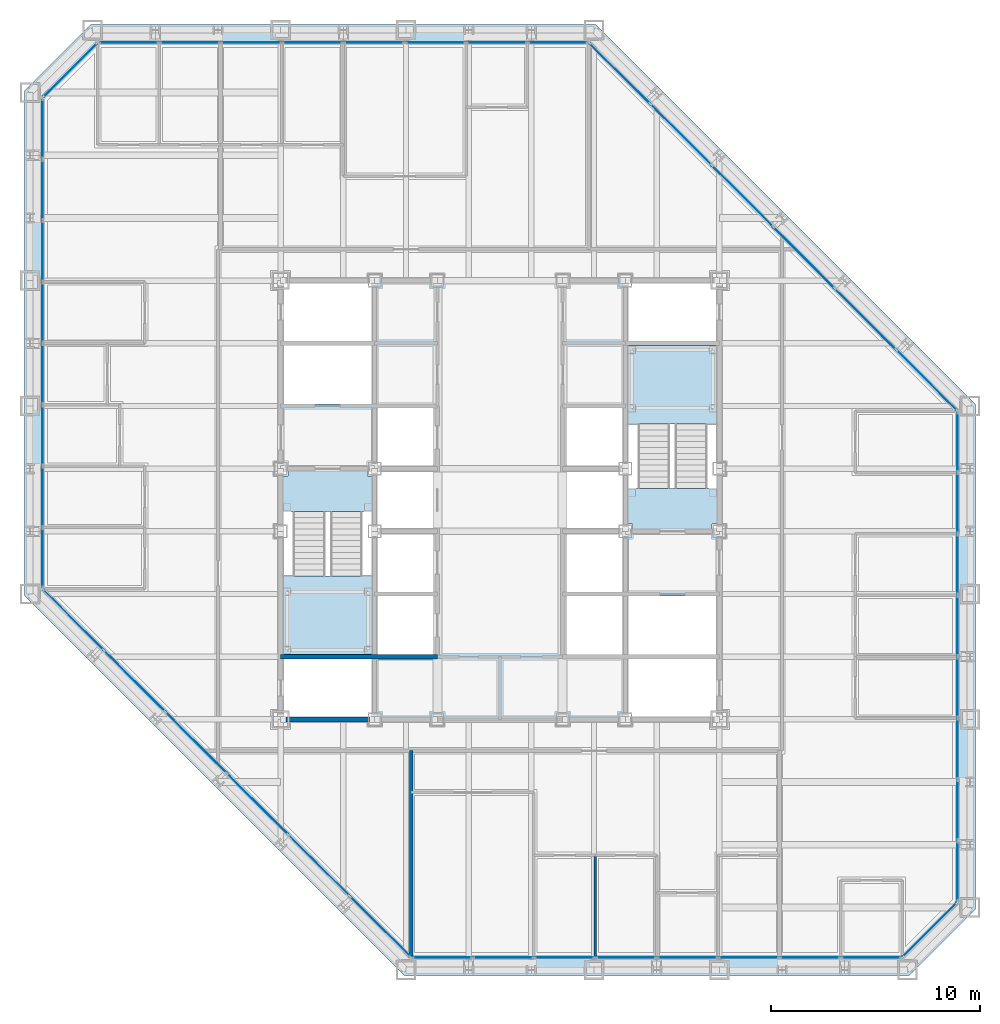
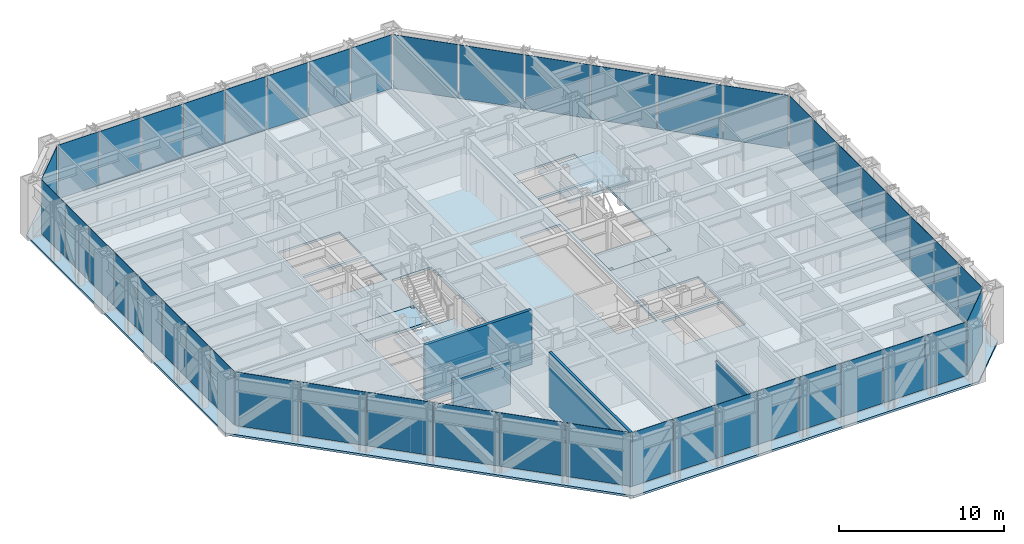
# One storey, part 9 of 16: 46 plates, 5 slabs, 4 walls, 10 elements without a shape of their own.
"""IFC4 building model written with IfcOpenShell, lengths in metres."""

import ifcopenshell
import ifcopenshell.guid

model = None  # the IFC model being written
_history = None  # IfcOwnerHistory: only IFC2X3 demands one
_inside = {}  # id of a spatial element -> (the spatial element, [elements in it])
_under = {}  # id of a project, library or spatial element -> (it, [spatial elements below it])
_declared = {}  # id of a project -> (the project, [libraries it declares])
_typed = {}  # id of a type object -> (the type object, [elements of that type])
_made_of = {}  # id of a material, layer set ... -> (it, [elements and type objects made of it])


def new_model(schema):
    """Start an empty IFC model of exactly this schema.

    Asked for "IFC4X3", IfcOpenShell would pick the latest addendum, in which some entities
    have other attributes; the version numbers below select the first issue.
    IFC2X3 requires an IfcOwnerHistory on every rooted entity: one is made here for all.
    """
    global model, _history
    if schema == "IFC4X3":
        model = ifcopenshell.file(schema_version=(4, 3, 0, 0))
    else:
        model = ifcopenshell.file(schema=schema)
    _inside.clear()
    _under.clear()
    _declared.clear()
    _typed.clear()
    _made_of.clear()
    _history = None
    if model.schema == "IFC2X3":
        org = make("IfcOrganization", Name="unknown")
        user = make(
            "IfcPersonAndOrganization",
            ThePerson=make("IfcPerson", FamilyName="unknown"),
            TheOrganization=org,
        )
        app = make(
            "IfcApplication",
            ApplicationDeveloper=org,
            Version="unknown",
            ApplicationFullName="unknown",
            ApplicationIdentifier="unknown",
        )
        _history = make(
            "IfcOwnerHistory",
            OwningUser=user,
            OwningApplication=app,
            ChangeAction="ADDED",
            CreationDate=0,
        )
    return model


def make(cls, **values):
    """One entity of the class cls with the attributes given. An attribute that is None is left unset."""
    return model.create_entity(
        cls, **{name: value for name, value in values.items() if value is not None}
    )


def rooted(cls, **values):
    """An entity with a GlobalId (a new one), such as an element, a storey or a relation."""
    return make(cls, GlobalId=ifcopenshell.guid.new(), OwnerHistory=_history, **values)


def si_unit(unit_type, name, prefix=None):
    """IfcSIUnit, for example si_unit("LENGTHUNIT", "METRE", prefix="MILLI")."""
    return make("IfcSIUnit", UnitType=unit_type, Prefix=prefix, Name=name)


def assignment(units):
    """IfcUnitAssignment: the units of a project."""
    return None if units is None else make("IfcUnitAssignment", Units=units)


def point(xyz):
    """IfcCartesianPoint."""
    return None if xyz is None else make("IfcCartesianPoint", Coordinates=xyz)


def direction(xyz):
    """IfcDirection."""
    return None if xyz is None else make("IfcDirection", DirectionRatios=xyz)


def frame(location, z_axis=None, x_axis=None):
    """IfcAxis2Placement3D, a coordinate frame: its origin and axes. An axis left out is left unset."""
    return make(
        "IfcAxis2Placement3D",
        Location=point(location),
        Axis=direction(z_axis),
        RefDirection=direction(x_axis),
    )


def frame_2d(location, x_axis=None):
    """IfcAxis2Placement2D, a coordinate frame in the plane: its origin and x axis."""
    return make(
        "IfcAxis2Placement2D", Location=point(location), RefDirection=direction(x_axis)
    )


def origin():
    """The frame at (0, 0, 0) with its axes left unset."""
    return frame((0.0, 0.0, 0.0))


def origin_2d():
    """The frame at (0, 0) in the plane with its x axis left unset."""
    return frame_2d((0.0, 0.0))


def place(relative_to, where):
    """IfcLocalPlacement: puts the frame where relative to a parent placement (None: the world)."""
    return make(
        "IfcLocalPlacement", PlacementRelTo=relative_to, RelativePlacement=where
    )


def context(
    kind, dimensions, precision=None, world=None, true_north=None, identifier=None
):
    """IfcGeometricRepresentationContext, for example the 3D "Model" context."""
    return make(
        "IfcGeometricRepresentationContext",
        ContextIdentifier=identifier,
        ContextType=kind,
        CoordinateSpaceDimension=dimensions,
        Precision=precision,
        WorldCoordinateSystem=world,
        TrueNorth=true_north,
    )


def subcontext(parent, identifier, kind, view, scale=None):
    """IfcGeometricRepresentationSubContext, for example "Body" below "Model"."""
    return make(
        "IfcGeometricRepresentationSubContext",
        ContextIdentifier=identifier,
        ContextType=kind,
        ParentContext=parent,
        TargetScale=scale,
        TargetView=view,
    )


def project(units=None, contexts=None):
    """IfcProject with its units and contexts."""
    return rooted(
        "IfcProject",
        Name="project",
        RepresentationContexts=contexts,
        UnitsInContext=assignment(units),
    )


def spatial(cls, under=None, at=None, **own):
    """A site, building, storey or space (cls), placed at a placement, below another one or the project."""
    s = rooted(cls, ObjectPlacement=at, **own)
    if under is not None:
        _under.setdefault(under.id(), (under, []))[1].append(s)
    return s


def polyline(points):
    """IfcPolyline through the points."""
    return make("IfcPolyline", Points=[point(p) for p in points])


def profile(cls, at=None, kind="AREA", **sizes):
    """A parametric profile (cls). Its sizes go by their IFC names, for example OverallWidth=200.0."""
    return make(cls, ProfileType=kind, Position=at, **sizes)


def rectangle(**sizes):
    """IfcRectangleProfileDef."""
    return profile("IfcRectangleProfileDef", **sizes)


def outline(outer, holes=None, kind="AREA"):
    """IfcArbitraryClosedProfileDef: a profile drawn as a closed curve; with holes, ...WithVoids."""
    if holes is None:
        return make("IfcArbitraryClosedProfileDef", ProfileType=kind, OuterCurve=outer)
    return make(
        "IfcArbitraryProfileDefWithVoids",
        ProfileType=kind,
        OuterCurve=outer,
        InnerCurves=holes,
    )


def extrude(swept, where, along, depth):
    """IfcExtrudedAreaSolid: the profile swept, set in the frame where, extruded along a direction by depth."""
    return make(
        "IfcExtrudedAreaSolid",
        SweptArea=swept,
        Position=where,
        ExtrudedDirection=direction(along),
        Depth=depth,
    )


def shape(context_of_items, identifier, shape_type, items):
    """IfcShapeRepresentation: the items that make up one representation, for example the "Body"."""
    return make(
        "IfcShapeRepresentation",
        ContextOfItems=context_of_items,
        RepresentationIdentifier=identifier,
        RepresentationType=shape_type,
        Items=items,
    )


def material(Name=None, Category=None):
    """IfcMaterial."""
    return make("IfcMaterial", Name=Name, Category=Category)


def layer(
    of_material, thickness, ventilated=None, Name=None, Category=None, Priority=None
):
    """IfcMaterialLayer: one layer of a wall or slab, of a material (None: an air gap)."""
    return make(
        "IfcMaterialLayer",
        Material=of_material,
        LayerThickness=thickness,
        IsVentilated=ventilated,
        Name=Name,
        Category=Category,
        Priority=Priority,
    )


def layer_set(layers, Name=None):
    """IfcMaterialLayerSet."""
    return make("IfcMaterialLayerSet", MaterialLayers=layers, LayerSetName=Name)


def made_of(thing, what):
    """Note that an element or type object is made of a material, layer set ...; save() writes the relation."""
    if what is not None:
        _made_of.setdefault(what.id(), (what, []))[1].append(thing)
    return thing


def type_object(cls, material=None, **own):
    """A type object (cls), such as IfcWallType, which elements share."""
    return made_of(rooted(cls, **own), material)


def element(
    cls,
    number,
    at=None,
    inside=None,
    cuts=None,
    type_object=None,
    material=None,
    context=None,
    identifier="Body",
    shape_type=None,
    held_by="IfcProductDefinitionShape",
    body=None,
    shapes=None,
    **own,
):
    """One element of the class cls, such as IfcWall. Its Tag is "e" and its number.

    at: its placement. inside: the storey or other place that contains it. cuts: it is an
    opening in that element (IfcRelVoidsElement). A single representation is given by context,
    identifier, shape_type and body (its items); several are given by shapes. held_by: the class
    of the entity that holds the representations. save() writes the other relations.
    """
    e = rooted(cls, Tag="e%d" % number, ObjectPlacement=at, **own)
    if body is not None:
        shapes = [shape(context, identifier, shape_type, body)]
    if shapes is not None:
        e.Representation = make(held_by, Representations=shapes)
    if inside is not None:
        _inside.setdefault(inside.id(), (inside, []))[1].append(e)
    if cuts is not None:
        rooted(
            "IfcRelVoidsElement", RelatingBuildingElement=cuts, RelatedOpeningElement=e
        )
    if type_object is not None:
        _typed.setdefault(type_object.id(), (type_object, []))[1].append(e)
    return made_of(e, material)


def aggregate(whole, parts):
    """IfcRelAggregates: a whole, such as a stair, and the parts it consists of."""
    return rooted("IfcRelAggregates", RelatingObject=whole, RelatedObjects=parts)


def save(model, path):
    """Write the relations noted so far, then the file.

    IfcRelAggregates (storeys below a building ...), IfcRelContainedInSpatialStructure (elements
    in a storey), IfcRelDefinesByType, IfcRelAssociatesMaterial and IfcRelDeclares: one each for
    every whole, place, type object, material and project.
    """
    for whole, parts in _under.values():
        aggregate(whole, parts)
    for where, things in _inside.values():
        rooted(
            "IfcRelContainedInSpatialStructure",
            RelatedElements=things,
            RelatingStructure=where,
        )
    for kind, things in _typed.values():
        rooted("IfcRelDefinesByType", RelatedObjects=things, RelatingType=kind)
    for what, things in _made_of.values():
        rooted("IfcRelAssociatesMaterial", RelatedObjects=things, RelatingMaterial=what)
    for by, libraries in _declared.values():
        rooted("IfcRelDeclares", RelatingContext=by, RelatedDefinitions=libraries)
    model.write(path)


model = new_model("IFC4")

# Units and contexts
model_context = context("Model", 3, precision=1e-05, world=origin(), true_north=direction((0.0, 1.0)))
body_context = subcontext(model_context, "Body", "Model", "MODEL_VIEW")
ifc_project = project(units=[si_unit("LENGTHUNIT", "METRE"), si_unit("AREAUNIT", "SQUARE_METRE"), si_unit("VOLUMEUNIT", "CUBIC_METRE"), si_unit("PLANEANGLEUNIT", "RADIAN"), si_unit("MASSUNIT", "GRAM", prefix="KILO")], contexts=[model_context])

# Site, building, storey
site_placement = place(None, origin())
site = spatial("IfcSite", under=ifc_project, at=site_placement, CompositionType="ELEMENT")
building_placement = place(site_placement, origin())
building = spatial("IfcBuilding", under=site, at=building_placement, Name="Chuquiago Exchange Tower", CompositionType="ELEMENT")
storey_placement = place(building_placement, frame((0.0, 0.0, 140.39990234375)))
storey = spatial("IfcBuildingStorey", under=building, at=storey_placement, Name="L30", CompositionType="ELEMENT", Elevation=140.39990234375)

# Curtain wall, plates
ifc_material_1 = material(Name="Aluminium curtain wall system", Category="aluminium")
ifc_layer_1 = layer(ifc_material_1, 0.22509765625)
ifc_layer_set_1 = layer_set([ifc_layer_1], Name="CW2 office curtain wall")
curtain_wall_type_1 = type_object("IfcCurtainWallType", Name="CW2 office curtain wall", PredefinedType="NOTDEFINED", material=ifc_layer_set_1)
curtain_wall_1_placement = place(storey_placement, origin())
curtain_wall_1 = element("IfcCurtainWall", 1, at=curtain_wall_1_placement, inside=storey, type_object=curtain_wall_type_1, Name="CW2 curtain wall L30", PredefinedType="NOTDEFINED")
ifc_material_2 = material(Name="Glass, insulating unit", Category="glass")
ifc_layer_2 = layer(ifc_material_2, 0.030029296875)
ifc_layer_set_2 = layer_set([ifc_layer_2], Name="CW2-P panel 30")
plate_type_1 = type_object("IfcPlateType", Name="CW2-P panel 30", PredefinedType="CURTAIN_PANEL", material=ifc_layer_set_2)
plate_1_placement = place(storey_placement, frame((25.59326171875, 0.60009765625, 0.06494140625), z_axis=(0.0, 0.0, 1.0), x_axis=(1.0, 0.0, 0.0)))
plate_1 = element("IfcPlate", 2, at=plate_1_placement, type_object=plate_type_1, Name="CW2 panel 3.1", PredefinedType="CURTAIN_PANEL", context=body_context, shape_type="SweptSolid", body=[
    extrude(rectangle(XDim=2.872802734375, YDim=0.030029296875, at=origin_2d()), origin(), (0.0, 0.0, 1.0), 3.97509765625),
])
plate_2_placement = place(storey_placement, frame((34.40673828125, 0.60009765625, 0.06494140625), z_axis=(0.0, 0.0, 1.0), x_axis=(1.0, 0.0, 0.0)))
plate_2 = element("IfcPlate", 3, at=plate_2_placement, type_object=plate_type_1, Name="CW2 panel 6.1", PredefinedType="CURTAIN_PANEL", context=body_context, shape_type="SweptSolid", body=[
    extrude(rectangle(XDim=2.872802734375, YDim=0.030029296875, at=origin_2d()), origin(), (0.0, 0.0, 1.0), 3.97509765625),
])

curtain_wall_2_placement = place(storey_placement, origin())
curtain_wall_2 = element("IfcCurtainWall", 4, at=curtain_wall_2_placement, inside=storey, type_object=curtain_wall_type_1, Name="CW2 curtain wall L30", PredefinedType="NOTDEFINED")
plate_3_placement = place(storey_placement, frame((44.39990234375, 10.59326171875, 0.06494140625), z_axis=(0.0, 0.0, 1.0), x_axis=(0.0, 1.0, 0.0)))
plate_3 = element("IfcPlate", 5, at=plate_3_placement, type_object=plate_type_1, Name="CW2 panel 3.1", PredefinedType="CURTAIN_PANEL", context=body_context, shape_type="SweptSolid", body=[
    extrude(rectangle(XDim=2.872802734375, YDim=0.030029296875, at=origin_2d()), origin(), (0.0, 0.0, 1.0), 3.97509765625),
])
plate_4_placement = place(storey_placement, frame((44.39990234375, 19.40673828125, 0.06494140625), z_axis=(0.0, 0.0, 1.0), x_axis=(0.0, 1.0, 0.0)))
plate_4 = element("IfcPlate", 6, at=plate_4_placement, type_object=plate_type_1, Name="CW2 panel 6.1", PredefinedType="CURTAIN_PANEL", context=body_context, shape_type="SweptSolid", body=[
    extrude(rectangle(XDim=2.872802734375, YDim=0.030029296875, at=origin_2d()), origin(), (0.0, 0.0, 1.0), 3.97509765625),
])

curtain_wall_3_placement = place(storey_placement, origin())
curtain_wall_3 = element("IfcCurtainWall", 7, at=curtain_wall_3_placement, inside=storey, type_object=curtain_wall_type_1, Name="CW2 curtain wall L30", PredefinedType="NOTDEFINED")
plate_5_placement = place(storey_placement, frame((19.40673828125, 44.39990234375, 0.06494140625), z_axis=(0.0, 0.0, 1.0), x_axis=(-1.0, 0.0, 0.0)))
plate_5 = element("IfcPlate", 8, at=plate_5_placement, type_object=plate_type_1, Name="CW2 panel 3.1", PredefinedType="CURTAIN_PANEL", context=body_context, shape_type="SweptSolid", body=[
    extrude(rectangle(XDim=2.872802734375, YDim=0.030029296875, at=origin_2d()), origin(), (0.0, 0.0, 1.0), 3.97509765625),
])
plate_6_placement = place(storey_placement, frame((10.59326171875, 44.39990234375, 0.06494140625), z_axis=(0.0, 0.0, 1.0), x_axis=(-1.0, 0.0, 0.0)))
plate_6 = element("IfcPlate", 9, at=plate_6_placement, type_object=plate_type_1, Name="CW2 panel 6.1", PredefinedType="CURTAIN_PANEL", context=body_context, shape_type="SweptSolid", body=[
    extrude(rectangle(XDim=2.872802734375, YDim=0.030029296875, at=origin_2d()), origin(), (0.0, 0.0, 1.0), 3.97509765625),
])

curtain_wall_4_placement = place(storey_placement, origin())
curtain_wall_4 = element("IfcCurtainWall", 10, at=curtain_wall_4_placement, inside=storey, type_object=curtain_wall_type_1, Name="CW2 curtain wall L30", PredefinedType="NOTDEFINED")
plate_7_placement = place(storey_placement, frame((0.60009765625, 34.40673828125, 0.06494140625), z_axis=(0.0, 0.0, 1.0), x_axis=(0.0, -1.0, 0.0)))
plate_7 = element("IfcPlate", 11, at=plate_7_placement, type_object=plate_type_1, Name="CW2 panel 3.1", PredefinedType="CURTAIN_PANEL", context=body_context, shape_type="SweptSolid", body=[
    extrude(rectangle(XDim=2.872802734375, YDim=0.030029296875, at=origin_2d()), origin(), (0.0, 0.0, 1.0), 3.97509765625),
])
plate_8_placement = place(storey_placement, frame((0.60009765625, 25.59326171875, 0.06494140625), z_axis=(0.0, 0.0, 1.0), x_axis=(0.0, -1.0, 0.0)))
plate_8 = element("IfcPlate", 12, at=plate_8_placement, type_object=plate_type_1, Name="CW2 panel 6.1", PredefinedType="CURTAIN_PANEL", context=body_context, shape_type="SweptSolid", body=[
    extrude(rectangle(XDim=2.872802734375, YDim=0.030029296875, at=origin_2d()), origin(), (0.0, 0.0, 1.0), 3.97509765625),
])

# Plate
ifc_material_3 = material(Name="Insulated spandrel panel, pale anodised aluminium", Category="aluminium")
ifc_layer_3 = layer(ifc_material_3, 0.030029296875)
ifc_layer_set_3 = layer_set([ifc_layer_3], Name="CW2-P spandrel panel 30")
plate_type_2 = type_object("IfcPlateType", Name="CW2-P spandrel panel 30", PredefinedType="CURTAIN_PANEL", material=ifc_layer_set_3)
plate_9_placement = place(storey_placement, frame((19.733642578125, 0.60009765625, 0.06494140625), z_axis=(0.0, 0.0, 1.0), x_axis=(1.0, 0.0, 0.0)))
plate_9 = element("IfcPlate", 13, at=plate_9_placement, type_object=plate_type_2, Name="CW2 panel 1.1", PredefinedType="CURTAIN_PANEL", context=body_context, shape_type="SweptSolid", body=[
    extrude(rectangle(XDim=2.84033203125, YDim=0.030029296875, at=origin_2d()), origin(), (0.0, 0.0, 1.0), 3.97509765625),
])

plate_10_placement = place(storey_placement, frame((22.6552734375, 0.60009765625, 0.06494140625), z_axis=(0.0, 0.0, 1.0), x_axis=(1.0, 0.0, 0.0)))
plate_10 = element("IfcPlate", 14, at=plate_10_placement, type_object=plate_type_2, Name="CW2 panel 2.1", PredefinedType="CURTAIN_PANEL", context=body_context, shape_type="SweptSolid", body=[
    extrude(rectangle(XDim=2.872802734375, YDim=0.030029296875, at=origin_2d()), origin(), (0.0, 0.0, 1.0), 3.97509765625),
])

plate_11_placement = place(storey_placement, frame((28.531005859375, 0.60009765625, 0.06494140625), z_axis=(0.0, 0.0, 1.0), x_axis=(1.0, 0.0, 0.0)))
plate_11 = element("IfcPlate", 15, at=plate_11_placement, type_object=plate_type_2, Name="CW2 panel 4.1", PredefinedType="CURTAIN_PANEL", context=body_context, shape_type="SweptSolid", body=[
    extrude(rectangle(XDim=2.872802734375, YDim=0.030029296875, at=origin_2d()), origin(), (0.0, 0.0, 1.0), 3.97509765625),
])

plate_12_placement = place(storey_placement, frame((31.468994140625, 0.60009765625, 0.06494140625), z_axis=(0.0, 0.0, 1.0), x_axis=(1.0, 0.0, 0.0)))
plate_12 = element("IfcPlate", 16, at=plate_12_placement, type_object=plate_type_2, Name="CW2 panel 5.1", PredefinedType="CURTAIN_PANEL", context=body_context, shape_type="SweptSolid", body=[
    extrude(rectangle(XDim=2.872802734375, YDim=0.030029296875, at=origin_2d()), origin(), (0.0, 0.0, 1.0), 3.97509765625),
])

plate_13_placement = place(storey_placement, frame((37.3447265625, 0.60009765625, 0.06494140625), z_axis=(0.0, 0.0, 1.0), x_axis=(1.0, 0.0, 0.0)))
plate_13 = element("IfcPlate", 17, at=plate_13_placement, type_object=plate_type_2, Name="CW2 panel 7.1", PredefinedType="CURTAIN_PANEL", context=body_context, shape_type="SweptSolid", body=[
    extrude(rectangle(XDim=2.872802734375, YDim=0.030029296875, at=origin_2d()), origin(), (0.0, 0.0, 1.0), 3.97509765625),
])

plate_14_placement = place(storey_placement, frame((40.266357421875, 0.60009765625, 0.06494140625), z_axis=(0.0, 0.0, 1.0), x_axis=(1.0, 0.0, 0.0)))
plate_14 = element("IfcPlate", 18, at=plate_14_placement, type_object=plate_type_2, Name="CW2 panel 8.1", PredefinedType="CURTAIN_PANEL", context=body_context, shape_type="SweptSolid", body=[
    extrude(rectangle(XDim=2.84033203125, YDim=0.030029296875, at=origin_2d()), origin(), (0.0, 0.0, 1.0), 3.97509765625),
])

aggregate(curtain_wall_1, [plate_9, plate_10, plate_1, plate_11, plate_12, plate_2, plate_13, plate_14])

plate_15_placement = place(storey_placement, frame((44.39990234375, 4.733642578125, 0.06494140625), z_axis=(0.0, 0.0, 1.0), x_axis=(0.0, 1.0, 0.0)))
plate_15 = element("IfcPlate", 19, at=plate_15_placement, type_object=plate_type_2, Name="CW2 panel 1.1", PredefinedType="CURTAIN_PANEL", context=body_context, shape_type="SweptSolid", body=[
    extrude(rectangle(XDim=2.84033203125, YDim=0.030029296875, at=origin_2d()), origin(), (0.0, 0.0, 1.0), 3.97509765625),
])

plate_16_placement = place(storey_placement, frame((44.39990234375, 7.6552734375, 0.06494140625), z_axis=(0.0, 0.0, 1.0), x_axis=(0.0, 1.0, 0.0)))
plate_16 = element("IfcPlate", 20, at=plate_16_placement, type_object=plate_type_2, Name="CW2 panel 2.1", PredefinedType="CURTAIN_PANEL", context=body_context, shape_type="SweptSolid", body=[
    extrude(rectangle(XDim=2.872802734375, YDim=0.030029296875, at=origin_2d()), origin(), (0.0, 0.0, 1.0), 3.97509765625),
])

plate_17_placement = place(storey_placement, frame((44.39990234375, 13.531005859375, 0.06494140625), z_axis=(0.0, 0.0, 1.0), x_axis=(0.0, 1.0, 0.0)))
plate_17 = element("IfcPlate", 21, at=plate_17_placement, type_object=plate_type_2, Name="CW2 panel 4.1", PredefinedType="CURTAIN_PANEL", context=body_context, shape_type="SweptSolid", body=[
    extrude(rectangle(XDim=2.872802734375, YDim=0.030029296875, at=origin_2d()), origin(), (0.0, 0.0, 1.0), 3.97509765625),
])

plate_18_placement = place(storey_placement, frame((44.39990234375, 16.468994140625, 0.06494140625), z_axis=(0.0, 0.0, 1.0), x_axis=(0.0, 1.0, 0.0)))
plate_18 = element("IfcPlate", 22, at=plate_18_placement, type_object=plate_type_2, Name="CW2 panel 5.1", PredefinedType="CURTAIN_PANEL", context=body_context, shape_type="SweptSolid", body=[
    extrude(rectangle(XDim=2.872802734375, YDim=0.030029296875, at=origin_2d()), origin(), (0.0, 0.0, 1.0), 3.97509765625),
])

plate_19_placement = place(storey_placement, frame((44.39990234375, 22.3447265625, 0.06494140625), z_axis=(0.0, 0.0, 1.0), x_axis=(0.0, 1.0, 0.0)))
plate_19 = element("IfcPlate", 23, at=plate_19_placement, type_object=plate_type_2, Name="CW2 panel 7.1", PredefinedType="CURTAIN_PANEL", context=body_context, shape_type="SweptSolid", body=[
    extrude(rectangle(XDim=2.872802734375, YDim=0.030029296875, at=origin_2d()), origin(), (0.0, 0.0, 1.0), 3.97509765625),
])

plate_20_placement = place(storey_placement, frame((44.39990234375, 25.266357421875, 0.06494140625), z_axis=(0.0, 0.0, 1.0), x_axis=(0.0, 1.0, 0.0)))
plate_20 = element("IfcPlate", 24, at=plate_20_placement, type_object=plate_type_2, Name="CW2 panel 8.1", PredefinedType="CURTAIN_PANEL", context=body_context, shape_type="SweptSolid", body=[
    extrude(rectangle(XDim=2.84033203125, YDim=0.030029296875, at=origin_2d()), origin(), (0.0, 0.0, 1.0), 3.97509765625),
])

aggregate(curtain_wall_2, [plate_15, plate_16, plate_3, plate_17, plate_18, plate_4, plate_19, plate_20])

plate_21_placement = place(storey_placement, frame((25.266357421875, 44.39990234375, 0.06494140625), z_axis=(0.0, 0.0, 1.0), x_axis=(-1.0, 0.0, 0.0)))
plate_21 = element("IfcPlate", 25, at=plate_21_placement, type_object=plate_type_2, Name="CW2 panel 1.1", PredefinedType="CURTAIN_PANEL", context=body_context, shape_type="SweptSolid", body=[
    extrude(rectangle(XDim=2.84033203125, YDim=0.030029296875, at=origin_2d()), origin(), (0.0, 0.0, 1.0), 3.97509765625),
])

plate_22_placement = place(storey_placement, frame((22.3447265625, 44.39990234375, 0.06494140625), z_axis=(0.0, 0.0, 1.0), x_axis=(-1.0, 0.0, 0.0)))
plate_22 = element("IfcPlate", 26, at=plate_22_placement, type_object=plate_type_2, Name="CW2 panel 2.1", PredefinedType="CURTAIN_PANEL", context=body_context, shape_type="SweptSolid", body=[
    extrude(rectangle(XDim=2.872802734375, YDim=0.030029296875, at=origin_2d()), origin(), (0.0, 0.0, 1.0), 3.97509765625),
])

plate_23_placement = place(storey_placement, frame((16.468994140625, 44.39990234375, 0.06494140625), z_axis=(0.0, 0.0, 1.0), x_axis=(-1.0, 0.0, 0.0)))
plate_23 = element("IfcPlate", 27, at=plate_23_placement, type_object=plate_type_2, Name="CW2 panel 4.1", PredefinedType="CURTAIN_PANEL", context=body_context, shape_type="SweptSolid", body=[
    extrude(rectangle(XDim=2.872802734375, YDim=0.030029296875, at=origin_2d()), origin(), (0.0, 0.0, 1.0), 3.97509765625),
])

plate_24_placement = place(storey_placement, frame((13.531005859375, 44.39990234375, 0.06494140625), z_axis=(0.0, 0.0, 1.0), x_axis=(-1.0, 0.0, 0.0)))
plate_24 = element("IfcPlate", 28, at=plate_24_placement, type_object=plate_type_2, Name="CW2 panel 5.1", PredefinedType="CURTAIN_PANEL", context=body_context, shape_type="SweptSolid", body=[
    extrude(rectangle(XDim=2.872802734375, YDim=0.030029296875, at=origin_2d()), origin(), (0.0, 0.0, 1.0), 3.97509765625),
])

plate_25_placement = place(storey_placement, frame((7.6552734375, 44.39990234375, 0.06494140625), z_axis=(0.0, 0.0, 1.0), x_axis=(-1.0, 0.0, 0.0)))
plate_25 = element("IfcPlate", 29, at=plate_25_placement, type_object=plate_type_2, Name="CW2 panel 7.1", PredefinedType="CURTAIN_PANEL", context=body_context, shape_type="SweptSolid", body=[
    extrude(rectangle(XDim=2.872802734375, YDim=0.030029296875, at=origin_2d()), origin(), (0.0, 0.0, 1.0), 3.97509765625),
])

plate_26_placement = place(storey_placement, frame((4.733642578125, 44.39990234375, 0.06494140625), z_axis=(0.0, 0.0, 1.0), x_axis=(-1.0, 0.0, 0.0)))
plate_26 = element("IfcPlate", 30, at=plate_26_placement, type_object=plate_type_2, Name="CW2 panel 8.1", PredefinedType="CURTAIN_PANEL", context=body_context, shape_type="SweptSolid", body=[
    extrude(rectangle(XDim=2.84033203125, YDim=0.030029296875, at=origin_2d()), origin(), (0.0, 0.0, 1.0), 3.97509765625),
])

aggregate(curtain_wall_3, [plate_21, plate_22, plate_5, plate_23, plate_24, plate_6, plate_25, plate_26])

plate_27_placement = place(storey_placement, frame((0.60009765625, 40.266357421875, 0.06494140625), z_axis=(0.0, 0.0, 1.0), x_axis=(0.0, -1.0, 0.0)))
plate_27 = element("IfcPlate", 31, at=plate_27_placement, type_object=plate_type_2, Name="CW2 panel 1.1", PredefinedType="CURTAIN_PANEL", context=body_context, shape_type="SweptSolid", body=[
    extrude(rectangle(XDim=2.84033203125, YDim=0.030029296875, at=origin_2d()), origin(), (0.0, 0.0, 1.0), 3.97509765625),
])

plate_28_placement = place(storey_placement, frame((0.60009765625, 37.3447265625, 0.06494140625), z_axis=(0.0, 0.0, 1.0), x_axis=(0.0, -1.0, 0.0)))
plate_28 = element("IfcPlate", 32, at=plate_28_placement, type_object=plate_type_2, Name="CW2 panel 2.1", PredefinedType="CURTAIN_PANEL", context=body_context, shape_type="SweptSolid", body=[
    extrude(rectangle(XDim=2.872802734375, YDim=0.030029296875, at=origin_2d()), origin(), (0.0, 0.0, 1.0), 3.97509765625),
])

plate_29_placement = place(storey_placement, frame((0.60009765625, 31.468994140625, 0.06494140625), z_axis=(0.0, 0.0, 1.0), x_axis=(0.0, -1.0, 0.0)))
plate_29 = element("IfcPlate", 33, at=plate_29_placement, type_object=plate_type_2, Name="CW2 panel 4.1", PredefinedType="CURTAIN_PANEL", context=body_context, shape_type="SweptSolid", body=[
    extrude(rectangle(XDim=2.872802734375, YDim=0.030029296875, at=origin_2d()), origin(), (0.0, 0.0, 1.0), 3.97509765625),
])

plate_30_placement = place(storey_placement, frame((0.60009765625, 28.531005859375, 0.06494140625), z_axis=(0.0, 0.0, 1.0), x_axis=(0.0, -1.0, 0.0)))
plate_30 = element("IfcPlate", 34, at=plate_30_placement, type_object=plate_type_2, Name="CW2 panel 5.1", PredefinedType="CURTAIN_PANEL", context=body_context, shape_type="SweptSolid", body=[
    extrude(rectangle(XDim=2.872802734375, YDim=0.030029296875, at=origin_2d()), origin(), (0.0, 0.0, 1.0), 3.97509765625),
])

plate_31_placement = place(storey_placement, frame((0.60009765625, 22.6552734375, 0.06494140625), z_axis=(0.0, 0.0, 1.0), x_axis=(0.0, -1.0, 0.0)))
plate_31 = element("IfcPlate", 35, at=plate_31_placement, type_object=plate_type_2, Name="CW2 panel 7.1", PredefinedType="CURTAIN_PANEL", context=body_context, shape_type="SweptSolid", body=[
    extrude(rectangle(XDim=2.872802734375, YDim=0.030029296875, at=origin_2d()), origin(), (0.0, 0.0, 1.0), 3.97509765625),
])

plate_32_placement = place(storey_placement, frame((0.60009765625, 19.733642578125, 0.06494140625), z_axis=(0.0, 0.0, 1.0), x_axis=(0.0, -1.0, 0.0)))
plate_32 = element("IfcPlate", 36, at=plate_32_placement, type_object=plate_type_2, Name="CW2 panel 8.1", PredefinedType="CURTAIN_PANEL", context=body_context, shape_type="SweptSolid", body=[
    extrude(rectangle(XDim=2.84033203125, YDim=0.030029296875, at=origin_2d()), origin(), (0.0, 0.0, 1.0), 3.97509765625),
])

aggregate(curtain_wall_4, [plate_27, plate_28, plate_7, plate_29, plate_30, plate_8, plate_31, plate_32])

# Curtain wall, plate
ifc_material_4 = material(Name="Aluminium curtain wall system", Category="aluminium")
ifc_layer_4 = layer(ifc_material_4, 0.199951171875)
ifc_layer_set_4 = layer_set([ifc_layer_4], Name="CW3 facet curtain wall")
curtain_wall_type_2 = type_object("IfcCurtainWallType", Name="CW3 facet curtain wall", PredefinedType="NOTDEFINED", material=ifc_layer_set_4)
curtain_wall_5_placement = place(storey_placement, origin())
curtain_wall_5 = element("IfcCurtainWall", 37, at=curtain_wall_5_placement, inside=storey, type_object=curtain_wall_type_2, Name="CW3 curtain wall L30", PredefinedType="NOTDEFINED")
ifc_material_5 = material(Name="Insulated spandrel panel, pale anodised aluminium", Category="aluminium")
ifc_layer_5 = layer(ifc_material_5, 0.030029296875)
ifc_layer_set_5 = layer_set([ifc_layer_5], Name="CW3-P spandrel panel 30")
plate_type_3 = type_object("IfcPlateType", Name="CW3-P spandrel panel 30", PredefinedType="CURTAIN_PANEL", material=ifc_layer_set_5)
plate_33_placement = place(storey_placement, frame((43.07568359375, 1.92431640625, 0.06494140625), z_axis=(0.0, 0.0, 1.0), x_axis=(0.707106781187, 0.707106781187, 0.0)))
plate_33 = element("IfcPlate", 38, at=plate_33_placement, type_object=plate_type_3, Name="CW3 panel 1.1", PredefinedType="CURTAIN_PANEL", context=body_context, shape_type="SweptSolid", body=[
    extrude(rectangle(XDim=3.615478515625, YDim=0.030029296875, at=origin_2d()), origin(), (0.0, 0.0, 1.0), 3.97509765625),
])
aggregate(curtain_wall_5, [plate_33])

# Curtain wall, plates
curtain_wall_6_placement = place(storey_placement, origin())
curtain_wall_6 = element("IfcCurtainWall", 39, at=curtain_wall_6_placement, inside=storey, type_object=curtain_wall_type_2, Name="CW3 curtain wall L30", PredefinedType="NOTDEFINED")
plate_34_placement = place(storey_placement, frame((42.917724609375, 28.233642578125, 0.06494140625), z_axis=(0.0, 0.0, 1.0), x_axis=(-0.707106781187, 0.707106781187, 0.0)))
plate_34 = element("IfcPlate", 40, at=plate_34_placement, type_object=plate_type_3, Name="CW3 panel 1.1", PredefinedType="CURTAIN_PANEL", context=body_context, shape_type="SweptSolid", body=[
    extrude(rectangle(XDim=4.062255859375, YDim=0.030029296875, at=origin_2d()), origin(), (0.0, 0.0, 1.0), 3.97509765625),
])
plate_35_placement = place(storey_placement, frame((39.98779296875, 31.16357421875, 0.06494140625), z_axis=(0.0, 0.0, 1.0), x_axis=(-0.707106781187, 0.707106781187, 0.0)))
plate_35 = element("IfcPlate", 41, at=plate_35_placement, type_object=plate_type_3, Name="CW3 panel 2.1", PredefinedType="CURTAIN_PANEL", context=body_context, shape_type="SweptSolid", body=[
    extrude(rectangle(XDim=4.0947265625, YDim=0.030029296875, at=origin_2d()), origin(), (0.0, 0.0, 1.0), 3.97509765625),
])
plate_36_placement = place(storey_placement, frame((37.04638671875, 34.10498046875, 0.06494140625), z_axis=(0.0, 0.0, 1.0), x_axis=(-0.707106781187, 0.707106781187, 0.0)))
plate_36 = element("IfcPlate", 42, at=plate_36_placement, type_object=plate_type_3, Name="CW3 panel 3.1", PredefinedType="CURTAIN_PANEL", context=body_context, shape_type="SweptSolid", body=[
    extrude(rectangle(XDim=4.0947265625, YDim=0.030029296875, at=origin_2d()), origin(), (0.0, 0.0, 1.0), 3.97509765625),
])
plate_37_placement = place(storey_placement, frame((34.10498046875, 37.04638671875, 0.06494140625), z_axis=(0.0, 0.0, 1.0), x_axis=(-0.707106781187, 0.707106781187, 0.0)))
plate_37 = element("IfcPlate", 43, at=plate_37_placement, type_object=plate_type_3, Name="CW3 panel 4.1", PredefinedType="CURTAIN_PANEL", context=body_context, shape_type="SweptSolid", body=[
    extrude(rectangle(XDim=4.0947265625, YDim=0.030029296875, at=origin_2d()), origin(), (0.0, 0.0, 1.0), 3.97509765625),
])
plate_38_placement = place(storey_placement, frame((31.16357421875, 39.98779296875, 0.06494140625), z_axis=(0.0, 0.0, 1.0), x_axis=(-0.707106781187, 0.707106781187, 0.0)))
plate_38 = element("IfcPlate", 44, at=plate_38_placement, type_object=plate_type_3, Name="CW3 panel 5.1", PredefinedType="CURTAIN_PANEL", context=body_context, shape_type="SweptSolid", body=[
    extrude(rectangle(XDim=4.0947265625, YDim=0.030029296875, at=origin_2d()), origin(), (0.0, 0.0, 1.0), 3.97509765625),
])
plate_39_placement = place(storey_placement, frame((28.233642578125, 42.917724609375, 0.06494140625), z_axis=(0.0, 0.0, 1.0), x_axis=(-0.707106781187, 0.707106781187, 0.0)))
plate_39 = element("IfcPlate", 45, at=plate_39_placement, type_object=plate_type_3, Name="CW3 panel 6.1", PredefinedType="CURTAIN_PANEL", context=body_context, shape_type="SweptSolid", body=[
    extrude(rectangle(XDim=4.062255859375, YDim=0.030029296875, at=origin_2d()), origin(), (0.0, 0.0, 1.0), 3.97509765625),
])
aggregate(curtain_wall_6, [plate_34, plate_35, plate_36, plate_37, plate_38, plate_39])

# Curtain wall, plate
curtain_wall_7_placement = place(storey_placement, origin())
curtain_wall_7 = element("IfcCurtainWall", 46, at=curtain_wall_7_placement, inside=storey, type_object=curtain_wall_type_2, Name="CW3 curtain wall L30", PredefinedType="NOTDEFINED")
plate_40_placement = place(storey_placement, frame((1.92431640625, 43.07568359375, 0.06494140625), z_axis=(0.0, 0.0, 1.0), x_axis=(-0.707106781187, -0.707106781187, 0.0)))
plate_40 = element("IfcPlate", 47, at=plate_40_placement, type_object=plate_type_3, Name="CW3 panel 1.1", PredefinedType="CURTAIN_PANEL", context=body_context, shape_type="SweptSolid", body=[
    extrude(rectangle(XDim=3.615478515625, YDim=0.030029296875, at=origin_2d()), origin(), (0.0, 0.0, 1.0), 3.97509765625),
])
aggregate(curtain_wall_7, [plate_40])

# Curtain wall, plates
curtain_wall_8_placement = place(storey_placement, origin())
curtain_wall_8 = element("IfcCurtainWall", 48, at=curtain_wall_8_placement, inside=storey, type_object=curtain_wall_type_2, Name="CW3 curtain wall L30", PredefinedType="NOTDEFINED")
plate_41_placement = place(storey_placement, frame((2.082275390625, 16.766357421875, 0.06494140625), z_axis=(0.0, 0.0, 1.0), x_axis=(0.707106781187, -0.707106781187, 0.0)))
plate_41 = element("IfcPlate", 49, at=plate_41_placement, type_object=plate_type_3, Name="CW3 panel 1.1", PredefinedType="CURTAIN_PANEL", context=body_context, shape_type="SweptSolid", body=[
    extrude(rectangle(XDim=4.062255859375, YDim=0.030029296875, at=origin_2d()), origin(), (0.0, 0.0, 1.0), 3.97509765625),
])
plate_42_placement = place(storey_placement, frame((5.01220703125, 13.83642578125, 0.06494140625), z_axis=(0.0, 0.0, 1.0), x_axis=(0.707106781187, -0.707106781187, 0.0)))
plate_42 = element("IfcPlate", 50, at=plate_42_placement, type_object=plate_type_3, Name="CW3 panel 2.1", PredefinedType="CURTAIN_PANEL", context=body_context, shape_type="SweptSolid", body=[
    extrude(rectangle(XDim=4.0947265625, YDim=0.030029296875, at=origin_2d()), origin(), (0.0, 0.0, 1.0), 3.97509765625),
])
plate_43_placement = place(storey_placement, frame((7.95361328125, 10.89501953125, 0.06494140625), z_axis=(0.0, 0.0, 1.0), x_axis=(0.707106781187, -0.707106781187, 0.0)))
plate_43 = element("IfcPlate", 51, at=plate_43_placement, type_object=plate_type_3, Name="CW3 panel 3.1", PredefinedType="CURTAIN_PANEL", context=body_context, shape_type="SweptSolid", body=[
    extrude(rectangle(XDim=4.0947265625, YDim=0.030029296875, at=origin_2d()), origin(), (0.0, 0.0, 1.0), 3.97509765625),
])
plate_44_placement = place(storey_placement, frame((10.89501953125, 7.95361328125, 0.06494140625), z_axis=(0.0, 0.0, 1.0), x_axis=(0.707106781187, -0.707106781187, 0.0)))
plate_44 = element("IfcPlate", 52, at=plate_44_placement, type_object=plate_type_3, Name="CW3 panel 4.1", PredefinedType="CURTAIN_PANEL", context=body_context, shape_type="SweptSolid", body=[
    extrude(rectangle(XDim=4.0947265625, YDim=0.030029296875, at=origin_2d()), origin(), (0.0, 0.0, 1.0), 3.97509765625),
])
plate_45_placement = place(storey_placement, frame((13.83642578125, 5.01220703125, 0.06494140625), z_axis=(0.0, 0.0, 1.0), x_axis=(0.707106781187, -0.707106781187, 0.0)))
plate_45 = element("IfcPlate", 53, at=plate_45_placement, type_object=plate_type_3, Name="CW3 panel 5.1", PredefinedType="CURTAIN_PANEL", context=body_context, shape_type="SweptSolid", body=[
    extrude(rectangle(XDim=4.0947265625, YDim=0.030029296875, at=origin_2d()), origin(), (0.0, 0.0, 1.0), 3.97509765625),
])
plate_46_placement = place(storey_placement, frame((16.766357421875, 2.082275390625, 0.06494140625), z_axis=(0.0, 0.0, 1.0), x_axis=(0.707106781187, -0.707106781187, 0.0)))
plate_46 = element("IfcPlate", 54, at=plate_46_placement, type_object=plate_type_3, Name="CW3 panel 6.1", PredefinedType="CURTAIN_PANEL", context=body_context, shape_type="SweptSolid", body=[
    extrude(rectangle(XDim=4.062255859375, YDim=0.030029296875, at=origin_2d()), origin(), (0.0, 0.0, 1.0), 3.97509765625),
])
aggregate(curtain_wall_8, [plate_41, plate_42, plate_43, plate_44, plate_45, plate_46])

# Slab
ifc_material_6 = material(Name="Concrete C30/37", Category="concrete")
ifc_layer_6 = layer(ifc_material_6, 0.159912109375)
ifc_layer_set_6 = layer_set([ifc_layer_6], Name="FS1 composite floor 160")
slab_type_1 = type_object("IfcSlabType", Name="FS1 composite floor 160", PredefinedType="FLOOR", material=ifc_layer_set_6)
slab_1_placement = place(storey_placement, frame((0.0, 0.0, -0.159912109375)))
element("IfcSlab", 55, at=slab_1_placement, inside=storey, type_object=slab_type_1, Name="L30 floor slab", PredefinedType="FLOOR", context=body_context, shape_type="SweptSolid", body=[
    extrude(outline(polyline([(17.896484375, -0.25), (-0.25, 17.896484375), (-0.25, 42.103515625), (2.896484375, 45.25), (27.103515625, 45.25), (45.25, 27.103515625), (45.25, 2.896484375), (42.103515625, -0.25), (17.896484375, -0.25)]), holes=[polyline([(16.39990234375, 15.10009765625), (12.10009765625, 15.10009765625), (12.10009765625, 23.89990234375), (16.39990234375, 23.89990234375), (16.39990234375, 15.10009765625)]), polyline([(32.89990234375, 21.10009765625), (28.60009765625, 21.10009765625), (28.60009765625, 29.89990234375), (32.89990234375, 29.89990234375), (32.89990234375, 21.10009765625)]), polyline([(16.39990234375, 12.10009765625), (12.10009765625, 12.10009765625), (12.10009765625, 14.89990234375), (16.39990234375, 14.89990234375), (16.39990234375, 12.10009765625)]), polyline([(16.39990234375, 30.10009765625), (12.10009765625, 30.10009765625), (12.10009765625, 32.89990234375), (16.39990234375, 32.89990234375), (16.39990234375, 30.10009765625)]), polyline([(32.89990234375, 12.10009765625), (28.60009765625, 12.10009765625), (28.60009765625, 14.89990234375), (32.89990234375, 14.89990234375), (32.89990234375, 12.10009765625)]), polyline([(32.89990234375, 30.10009765625), (28.60009765625, 30.10009765625), (28.60009765625, 32.89990234375), (32.89990234375, 32.89990234375), (32.89990234375, 30.10009765625)]), polyline([(16.39990234375, 27.10009765625), (12.10009765625, 27.10009765625), (12.10009765625, 29.89990234375), (16.39990234375, 29.89990234375), (16.39990234375, 27.10009765625)]), polyline([(32.89990234375, 15.10009765625), (28.60009765625, 15.10009765625), (28.60009765625, 17.89990234375), (32.89990234375, 17.89990234375), (32.89990234375, 15.10009765625)]), polyline([(19.39990234375, 15.10009765625), (16.60009765625, 15.10009765625), (16.60009765625, 26.89990234375), (19.39990234375, 26.89990234375), (19.39990234375, 15.10009765625)]), polyline([(28.39990234375, 15.10009765625), (25.60009765625, 15.10009765625), (25.60009765625, 26.89990234375), (28.39990234375, 26.89990234375), (28.39990234375, 15.10009765625)])]), origin(), (0.0, 0.0, 1.0), 0.159912109375),
])

# Stair, slabs
ifc_material_7 = material(Name="Concrete C30/37, precast", Category="concrete")
stair_type_1 = type_object("IfcStairType", Name="ST1 half-turn stair 4200", PredefinedType="HALF_TURN_STAIR", material=ifc_material_7)
stair_1_placement = place(storey_placement, origin())
stair_1 = element("IfcStair", 56, at=stair_1_placement, inside=storey, type_object=stair_type_1, Name="Stair ST1 L30", PredefinedType="HALF_TURN_STAIR")
ifc_material_8 = material(Name="Concrete C30/37, precast", Category="concrete")
ifc_layer_7 = layer(ifc_material_8, 0.199951171875)
ifc_layer_set_7 = layer_set([ifc_layer_7], Name="ST-L landing 200")
slab_type_2 = type_object("IfcSlabType", Name="ST-L landing 200", PredefinedType="LANDING", material=ifc_layer_set_7)
slab_2_placement = place(storey_placement, frame((0.0, 0.0, -0.199951171875)))
slab_2 = element("IfcSlab", 57, at=slab_2_placement, type_object=slab_type_2, Name="ST1 landing 1", PredefinedType="LANDING", context=body_context, shape_type="SweptSolid", body=[
    extrude(outline(polyline([(12.35009765625, 23.89990234375), (16.14990234375, 23.89990234375), (16.14990234375, 23.64990234375), (16.39990234375, 23.64990234375), (16.39990234375, 21.949951171875), (12.10009765625, 21.949951171875), (12.10009765625, 23.64990234375), (12.35009765625, 23.64990234375), (12.35009765625, 23.89990234375)])), origin(), (0.0, 0.0, 1.0), 0.199951171875),
])
slab_3_placement = place(storey_placement, frame((0.0, 0.0, 1.900146484375)))
slab_3 = element("IfcSlab", 58, at=slab_3_placement, type_object=slab_type_2, Name="ST1 landing 2", PredefinedType="LANDING", context=body_context, shape_type="SweptSolid", body=[
    extrude(outline(polyline([(12.10009765625, 18.8701171875), (16.39990234375, 18.8701171875), (16.39990234375, 15.10009765625), (12.10009765625, 15.10009765625), (12.10009765625, 18.8701171875)])), origin(), (0.0, 0.0, 1.0), 0.199951171875),
])
aggregate(stair_1, [slab_2, slab_3])

ifc_material_9 = material(Name="Concrete C30/37, precast", Category="concrete")
stair_type_2 = type_object("IfcStairType", Name="ST2 half-turn stair 4200", PredefinedType="HALF_TURN_STAIR", material=ifc_material_9)
stair_2_placement = place(storey_placement, origin())
stair_2 = element("IfcStair", 59, at=stair_2_placement, inside=storey, type_object=stair_type_2, Name="Stair ST2 L30", PredefinedType="HALF_TURN_STAIR")
slab_4_placement = place(storey_placement, frame((0.0, 0.0, -0.199951171875)))
slab_4 = element("IfcSlab", 60, at=slab_4_placement, type_object=slab_type_2, Name="ST2 landing 1", PredefinedType="LANDING", context=body_context, shape_type="SweptSolid", body=[
    extrude(outline(polyline([(32.64990234375, 21.35009765625), (32.64990234375, 21.10009765625), (28.85009765625, 21.10009765625), (28.85009765625, 21.35009765625), (28.60009765625, 21.35009765625), (28.60009765625, 23.050048828125), (32.89990234375, 23.050048828125), (32.89990234375, 21.35009765625), (32.64990234375, 21.35009765625)])), origin(), (0.0, 0.0, 1.0), 0.199951171875),
])
slab_5_placement = place(storey_placement, frame((0.0, 0.0, 1.900146484375)))
slab_5 = element("IfcSlab", 61, at=slab_5_placement, type_object=slab_type_2, Name="ST2 landing 2", PredefinedType="LANDING", context=body_context, shape_type="SweptSolid", body=[
    extrude(outline(polyline([(28.60009765625, 29.89990234375), (32.89990234375, 29.89990234375), (32.89990234375, 26.1298828125), (28.60009765625, 26.1298828125), (28.60009765625, 29.89990234375)])), origin(), (0.0, 0.0, 1.0), 0.199951171875),
])
aggregate(stair_2, [slab_4, slab_5])

# Walls
ifc_material_10 = material(Name="Concrete masonry, fully grouted", Category="masonry")
ifc_layer_8 = layer(ifc_material_10, 0.25)
ifc_layer_set_8 = layer_set([ifc_layer_8], Name="W1 core wall 250")
wall_type_1 = type_object("IfcWallType", Name="W1 core wall 250", PredefinedType="SOLIDWALL", material=ifc_layer_set_8)
wall_1_placement = place(storey_placement, frame((12.25, 12.0, 0.0), z_axis=(0.0, 0.0, 1.0), x_axis=(1.0, 0.0, 0.0)))
element("IfcWall", 62, at=wall_1_placement, inside=storey, type_object=wall_type_1, Name="CW-L30-01-0", PredefinedType="SOLIDWALL", context=body_context, shape_type="SweptSolid", body=[
    extrude(rectangle(XDim=4.0, YDim=0.25, at=frame_2d((2.0, 0.0))), origin(), (0.0, 0.0, 1.0), 3.181640625),
])
ifc_material_11 = material(Name="Gypsum board on twin steel studs, acoustic insulation", Category="steel")
ifc_layer_9 = layer(ifc_material_11, 0.175048828125)
ifc_layer_set_9 = layer_set([ifc_layer_9], Name="W12 tenant demising wall 175")
wall_type_2 = type_object("IfcWallType", Name="W12 tenant demising wall 175", PredefinedType="PARTITIONING", material=ifc_layer_set_9)
wall_2_placement = place(storey_placement, frame((18.24853515625, 0.666015625, 0.0), z_axis=(0.0, 0.0, 1.0), x_axis=(0.0, 1.0, 0.0)))
element("IfcWall", 63, at=wall_2_placement, inside=storey, type_object=wall_type_2, Name="PW-L30-DS01825", PredefinedType="PARTITIONING", context=body_context, shape_type="SweptSolid", body=[
    extrude(rectangle(XDim=9.833984375, YDim=0.175048828125, at=frame_2d((4.9169921875, 0.0))), origin(), (0.0, 0.0, 1.0), 4.0400390625),
])
ifc_material_12 = material(Name="Concrete masonry, fully grouted", Category="masonry")
ifc_layer_10 = layer(ifc_material_12, 0.199951171875)
ifc_layer_set_10 = layer_set([ifc_layer_10], Name="W2 shaft wall 200")
wall_type_3 = type_object("IfcWallType", Name="W2 shaft wall 200", PredefinedType="SOLIDWALL", material=ifc_layer_set_10)
wall_3_placement = place(storey_placement, frame((12.0, 15.0, 0.0), z_axis=(0.0, 0.0, 1.0), x_axis=(1.0, 0.0, 0.0)))
element("IfcWall", 64, at=wall_3_placement, inside=storey, type_object=wall_type_3, Name="CW-L30-03-0", PredefinedType="SOLIDWALL", context=body_context, shape_type="SweptSolid", body=[
    extrude(rectangle(XDim=7.5, YDim=0.199951171875, at=frame_2d((3.75, 0.0))), origin(), (0.0, 0.0, 1.0), 4.0400390625),
])
ifc_material_13 = material(Name="Gypsum board on steel studs", Category="steel")
ifc_layer_11 = layer(ifc_material_13, 0.1201171875)
ifc_layer_set_11 = layer_set([ifc_layer_11], Name="W4 partition 120")
wall_type_4 = type_object("IfcWallType", Name="W4 partition 120", PredefinedType="PARTITIONING", material=ifc_layer_set_11)
wall_4_placement = place(storey_placement, frame((27.06201171875, 0.652587890625, 0.0), z_axis=(0.0, 0.0, 1.0), x_axis=(0.0, 1.0, 0.0)))
element("IfcWall", 65, at=wall_4_placement, inside=storey, type_object=wall_type_4, Name="PW-L30-S02706", PredefinedType="PARTITIONING", context=body_context, shape_type="SweptSolid", body=[
    extrude(rectangle(XDim=4.847412109375, YDim=0.1201171875, at=frame_2d((2.423828125, 0.0))), origin(), (0.0, 0.0, 1.0), 3.35693359375),
])

save(model, "model.ifc")
